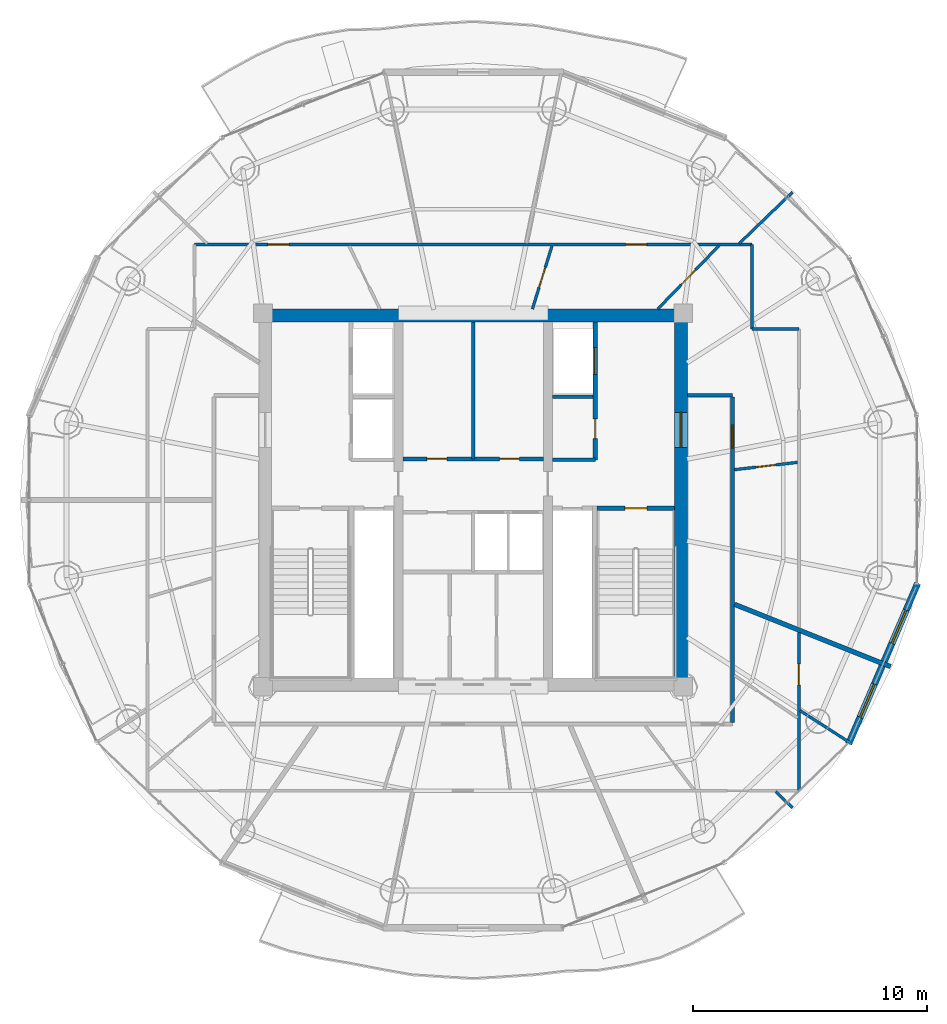
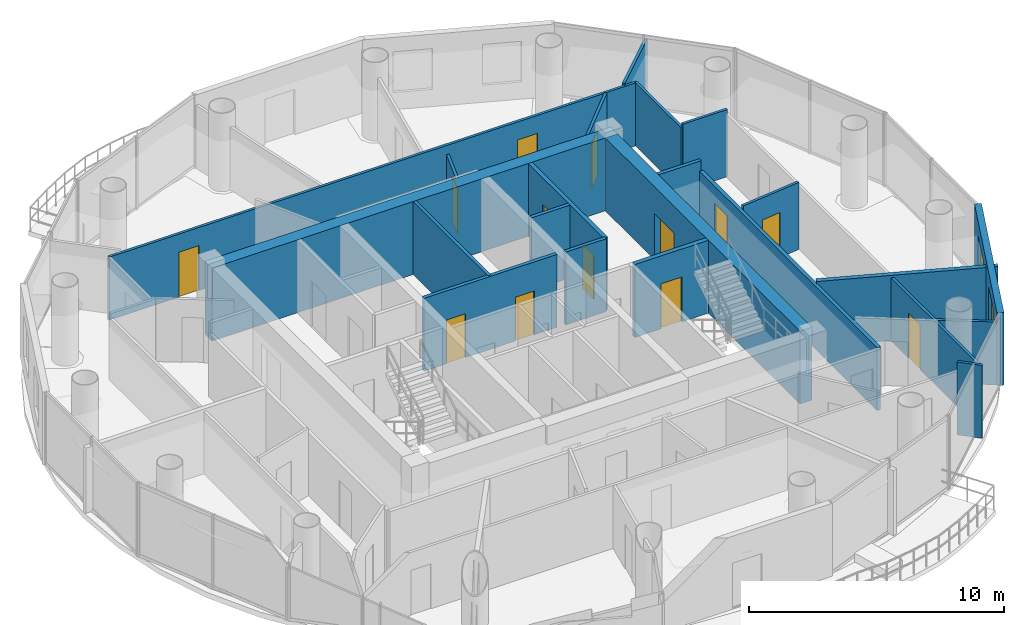
# One storey, part 20 of 24: 22 walls, 13 doors, 2 windows, 15 openings.
"""IFC4 building model written with IfcOpenShell, lengths in metres."""

from ifc_helpers import new_model, si_unit, direction, frame, frame_2d, origin, place, context, subcontext, project, spatial, rectangle, extrude, source, transform, mapped, material, layer, layer_set, type_object, element, fill, save


model = new_model("IFC4")

# Units and contexts
model_context = context("Model", 3, precision=1e-05, world=origin(), true_north=direction((-0.2419218956, 0.970295726276)))
body_context = subcontext(model_context, "Body", "Model", "MODEL_VIEW")
ifc_project = project(units=[si_unit("LENGTHUNIT", "METRE"), si_unit("AREAUNIT", "SQUARE_METRE"), si_unit("VOLUMEUNIT", "CUBIC_METRE"), si_unit("PLANEANGLEUNIT", "RADIAN"), si_unit("MASSUNIT", "GRAM", prefix="KILO")], contexts=[model_context])

# Site, building, storey
site_placement = place(None, origin())
site = spatial("IfcSite", under=ifc_project, at=site_placement, CompositionType="ELEMENT")
building_placement = place(site_placement, origin())
building = spatial("IfcBuilding", under=site, at=building_placement, Name="Cobrevalo Terracotta Tower", CompositionType="ELEMENT")
storey_placement = place(building_placement, frame((0.0, 0.0, 274.449951171875)))
storey = spatial("IfcBuildingStorey", under=building, at=storey_placement, Name="L72", CompositionType="ELEMENT", Elevation=274.449951171875)

# Wall
ifc_material_1 = material(Name="Concrete C50", Category="concrete")
ifc_layer_1 = layer(ifc_material_1, 0.550048828125)
ifc_layer_set_1 = layer_set([ifc_layer_1], Name="Concrete C50")
wall_type_1 = type_object("IfcWallType", Name="Core shear wall 550 mm Concrete C50", PredefinedType="SHEAR", material=ifc_layer_set_1)
wall_1_placement = place(storey_placement, frame((28.824951171875, 34.699951171875, 0.0), z_axis=(0.0, 0.0, 1.0), x_axis=(1.0, 0.0, 0.0)))
element("IfcWall", 1, at=wall_1_placement, inside=storey, type_object=wall_type_1, Name="L72 north core shear wall", PredefinedType="SHEAR", context=body_context, shape_type="SweptSolid", body=[
    extrude(rectangle(XDim=18.35009765625, YDim=0.550048828125, at=frame_2d((9.175048828125, 0.0))), origin(), (0.0, 0.0, 1.0), 3.489990234375),
])

# Wall, opening, door
wall_2_placement = place(storey_placement, frame((46.89990234375, 19.175048828125, 0.0), z_axis=(0.0, 0.0, 1.0), x_axis=(0.0, 1.0, 0.0)))
wall_2 = element("IfcWall", 2, at=wall_2_placement, inside=storey, type_object=wall_type_1, Name="L72 east core shear wall", PredefinedType="SHEAR", context=body_context, shape_type="SweptSolid", body=[
    extrude(rectangle(XDim=15.25, YDim=0.550048828125, at=frame_2d((7.625, 0.0))), origin(), (0.0, 0.0, 1.0), 3.489990234375),
])
opening_1_placement = place(wall_2_placement, frame((9.875, 0.0, 0.0)))
opening_1 = element("IfcOpeningElement", 3, at=opening_1_placement, cuts=wall_2, Name="Opening ID-14", PredefinedType="OPENING", context=body_context, shape_type="SweptSolid", body=[
    extrude(rectangle(XDim=1.5, YDim=2.199951171875, at=frame_2d((0.75, 1.10009765625))), frame((0.0, 0.28515625, 0.0), z_axis=(0.0, -1.0, 0.0), x_axis=(1.0, 0.0, 0.0)), (0.0, 0.0, 1.0), 0.570068359375),
])
ifc_material_2 = material(Name="Galvanized fire-rated steel", Category="steel")
door_type_1 = type_object("IfcDoorType", Name="Core cross-lobby double fire door 1500x2200 EI 90", OperationType="NOTDEFINED", PredefinedType="DOOR", material=ifc_material_2)
shared_shape_1 = source(origin(), body_context, "Body", "SweptSolid", [
    extrude(rectangle(XDim=1.5, YDim=2.199951171875, at=frame_2d((0.75, 1.10009765625))), frame((0.0, 0.02490234375, 0.0), z_axis=(0.0, -1.0, 0.0), x_axis=(1.0, 0.0, 0.0)), (0.0, 0.0, 1.0), 0.050048828125),
])
door_1_placement = place(opening_1_placement, frame((1.5, 0.0, 0.0), z_axis=(0.0, 0.0, 1.0), x_axis=(-1.0, 0.0, 0.0)))
door_1 = element("IfcDoor", 4, at=door_1_placement, inside=storey, type_object=door_type_1, Name="L72 east firefighting lobby entrance door", OperationType="DOUBLE_DOOR_SINGLE_SWING", OverallHeight=2.199951171875, OverallWidth=1.5, PredefinedType="DOOR", context=body_context, shape_type="MappedRepresentation", body=[
    mapped(shared_shape_1, transform((0.0, 0.0, 0.0), scale=1.0)),
])
fill(opening_1, door_1)

# Walls
ifc_material_3 = material(Name="Gypsum board on steel stud", Category="steel")
ifc_layer_2 = layer(ifc_material_3, 0.159912109375)
ifc_layer_set_2 = layer_set([ifc_layer_2], Name="Gypsum board on steel stud")
wall_type_2 = type_object("IfcWallType", Name="Fire-rated corridor acoustic partition wall 160 mm", PredefinedType="PARTITIONING", material=ifc_layer_set_2)
wall_3_placement = place(storey_placement, frame((41.389892578125, 31.219970703125, 0.0), z_axis=(0.0, 0.0, 1.0), x_axis=(1.0, 0.0, 0.0)))
element("IfcWall", 5, at=wall_3_placement, inside=storey, type_object=wall_type_2, Name="L72 interior partition IW-L72-FF2-M", PredefinedType="PARTITIONING", context=body_context, shape_type="SweptSolid", body=[
    extrude(rectangle(XDim=1.75, YDim=0.159912109375, at=frame_2d((0.875, 0.0))), origin(), (0.0, 0.0, 1.0), 3.489990234375),
])
wall_4_placement = place(storey_placement, frame((41.389892578125, 28.52001953125, 0.0), z_axis=(0.0, 0.0, 1.0), x_axis=(1.0, 0.0, 0.0)))
element("IfcWall", 6, at=wall_4_placement, inside=storey, type_object=wall_type_2, Name="L72 interior partition IW-L72-FF2-S", PredefinedType="PARTITIONING", context=body_context, shape_type="SweptSolid", body=[
    extrude(rectangle(XDim=1.840087890625, YDim=0.159912109375, at=frame_2d((0.919921875, 0.0))), origin(), (0.0, 0.0, 1.0), 3.489990234375),
])

# Wall, openings, doors
wall_5_placement = place(storey_placement, frame((34.989990234375, 28.56005859375, 0.0), z_axis=(0.0, 0.0, 1.0), x_axis=(1.0, 0.0, 0.0)))
wall_5 = element("IfcWall", 7, at=wall_5_placement, inside=storey, type_object=wall_type_2, Name="L72 interior partition IW-L72-LB-S", PredefinedType="PARTITIONING", context=body_context, shape_type="SweptSolid", body=[
    extrude(rectangle(XDim=6.02001953125, YDim=0.159912109375, at=frame_2d((3.010009765625, 0.0))), origin(), (0.0, 0.0, 1.0), 3.489990234375),
])
opening_2_placement = place(wall_5_placement, frame((1.02490234375, 0.0, 0.0)))
opening_2 = element("IfcOpeningElement", 8, at=opening_2_placement, cuts=wall_5, Name="Opening ID-07", PredefinedType="OPENING", context=body_context, shape_type="SweptSolid", body=[
    extrude(rectangle(XDim=0.860107421875, YDim=2.10009765625, at=frame_2d((0.43017578125, 1.050048828125))), frame((0.0, 0.08984375, 0.0), z_axis=(0.0, -1.0, 0.0), x_axis=(1.0, 0.0, 0.0)), (0.0, 0.0, 1.0), 0.179931640625),
])
opening_3_placement = place(wall_5_placement, frame((4.139892578125, 0.0, 0.0)))
opening_3 = element("IfcOpeningElement", 9, at=opening_3_placement, cuts=wall_5, Name="Opening ID-22", PredefinedType="OPENING", context=body_context, shape_type="SweptSolid", body=[
    extrude(rectangle(XDim=0.85009765625, YDim=2.10009765625, at=frame_2d((0.425048828125, 1.050048828125))), frame((0.0, 0.08984375, 0.0), z_axis=(0.0, -1.0, 0.0), x_axis=(1.0, 0.0, 0.0)), (0.0, 0.0, 1.0), 0.179931640625),
])
ifc_material_4 = material(Name="Powder-coated steel", Category="steel")
door_type_2 = type_object("IfcDoorType", Name="Riser shaft & meter closet fire access door 850x2100 EI 60", OperationType="NOTDEFINED", PredefinedType="DOOR", material=ifc_material_4)
shared_shape_2 = source(origin(), body_context, "Body", "SweptSolid", [
    extrude(rectangle(XDim=0.85009765625, YDim=2.10009765625, at=frame_2d((0.425048828125, 1.050048828125))), frame((0.0, 0.02490234375, 0.0), z_axis=(0.0, -1.0, 0.0), x_axis=(1.0, 0.0, 0.0)), (0.0, 0.0, 1.0), 0.050048828125),
])
door_2_placement = place(opening_3_placement, origin())
door_2 = element("IfcDoor", 10, at=door_2_placement, inside=storey, type_object=door_type_2, Name="L72 core service door Floor Telecom and Metering Plant", OperationType="SINGLE_SWING_RIGHT", OverallHeight=2.10009765625, OverallWidth=0.85009765625, PredefinedType="DOOR", context=body_context, shape_type="MappedRepresentation", body=[
    mapped(shared_shape_2, transform((0.0, 0.0, 0.0), scale=1.0)),
])
fill(opening_3, door_2)
ifc_material_5 = material(Name="Fire-rated moisture-sealed timber", Category="wood")
door_type_3 = type_object("IfcDoorType", Name="Core & podium fire-rated accessible WC door 860x2100 EI 60", OperationType="NOTDEFINED", PredefinedType="DOOR", material=ifc_material_5)
shared_shape_3 = source(origin(), body_context, "Body", "SweptSolid", [
    extrude(rectangle(XDim=0.860107421875, YDim=2.10009765625, at=frame_2d((0.43017578125, 1.050048828125))), frame((0.0, 0.02490234375, 0.0), z_axis=(0.0, -1.0, 0.0), x_axis=(1.0, 0.0, 0.0)), (0.0, 0.0, 1.0), 0.050048828125),
])
door_3_placement = place(opening_2_placement, origin())
door_3 = element("IfcDoor", 11, at=door_3_placement, inside=storey, type_object=door_type_3, Name="L72 core service door Core Accessible Toilet WC", OperationType="SINGLE_SWING_LEFT", OverallHeight=2.10009765625, OverallWidth=0.860107421875, PredefinedType="DOOR", context=body_context, shape_type="MappedRepresentation", body=[
    mapped(shared_shape_3, transform((0.0, 0.0, 0.0), scale=1.0)),
])
fill(opening_2, door_3)

# Wall, opening, door
wall_6_placement = place(storey_placement, frame((49.10498046875, 17.27490234375, 0.0), z_axis=(0.0, 0.0, 1.0), x_axis=(0.0, 1.0, 0.0)))
wall_6 = element("IfcWall", 12, at=wall_6_placement, inside=storey, type_object=wall_type_2, Name="L72 interior partition IW-L72-COR-E", PredefinedType="PARTITIONING", context=body_context, shape_type="SweptSolid", body=[
    extrude(rectangle(XDim=13.925048828125, YDim=0.159912109375, at=frame_2d((6.96240234375, 0.0))), origin(), (0.0, 0.0, 1.0), 3.01513671875),
])
opening_4_placement = place(wall_6_placement, frame((11.749755859375, 0.0, 0.0)))
opening_4 = element("IfcOpeningElement", 13, at=opening_4_placement, cuts=wall_6, Name="Opening ID-05", PredefinedType="OPENING", context=body_context, shape_type="SweptSolid", body=[
    extrude(rectangle(XDim=0.97998046875, YDim=2.199951171875, at=frame_2d((0.489990234375, 1.10009765625))), frame((0.0, 0.08984375, 0.0), z_axis=(0.0, -1.0, 0.0), x_axis=(1.0, 0.0, 0.0)), (0.0, 0.0, 1.0), 0.179931640625),
])
ifc_material_6 = material(Name="Solid hardwood timber", Category="wood")
door_type_4 = type_object("IfcDoorType", Name="Residence entrance fire-rated acoustic timber door 980x2200 EI 60", OperationType="NOTDEFINED", PredefinedType="DOOR", material=ifc_material_6)
shared_shape_4 = source(origin(), body_context, "Body", "SweptSolid", [
    extrude(rectangle(XDim=0.97998046875, YDim=2.199951171875, at=frame_2d((0.489990234375, 1.10009765625))), frame((0.0, 0.02490234375, 0.0), z_axis=(0.0, -1.0, 0.0), x_axis=(1.0, 0.0, 0.0)), (0.0, 0.0, 1.0), 0.050048828125),
])
door_4_placement = place(opening_4_placement, frame((0.97998046875, 0.0, 0.0), z_axis=(0.0, 0.0, 1.0), x_axis=(-1.0, 0.0, 0.0)))
door_4 = element("IfcDoor", 14, at=door_4_placement, inside=storey, type_object=door_type_4, Name="Flat L72A fire-rated apartment entrance door", OperationType="SINGLE_SWING_LEFT", OverallHeight=2.199951171875, OverallWidth=0.97998046875, PredefinedType="DOOR", context=body_context, shape_type="MappedRepresentation", body=[
    mapped(shared_shape_4, transform((0.0, 0.0, 0.0), scale=1.0)),
])
fill(opening_4, door_4)

# Wall
wall_7_placement = place(storey_placement, frame((47.175048828125, 31.280029296875, 0.0), z_axis=(0.0, 0.0, 1.0), x_axis=(1.0, 0.0, 0.0)))
element("IfcWall", 15, at=wall_7_placement, inside=storey, type_object=wall_type_2, Name="L72 interior partition IW-L72-COR-EN-CAP", PredefinedType="PARTITIONING", context=body_context, shape_type="SweptSolid", body=[
    extrude(rectangle(XDim=1.929931640625, YDim=0.159912109375, at=frame_2d((0.96484375, 0.0))), origin(), (0.0, 0.0, 1.0), 3.489990234375),
])

# Wall, openings, doors
ifc_layer_3 = layer(ifc_material_3, 0.179931640625)
ifc_layer_set_3 = layer_set([ifc_layer_3], Name="Gypsum board on steel stud")
wall_type_3 = type_object("IfcWallType", Name="Fire-rated shaft & lobby acoustic partition wall 180 mm", PredefinedType="PARTITIONING", material=ifc_layer_set_3)
wall_8_placement = place(storey_placement, frame((43.22998046875, 28.52001953125, 0.0), z_axis=(0.0, 0.0, 1.0), x_axis=(0.0, 1.0, 0.0)))
wall_8 = element("IfcWall", 16, at=wall_8_placement, inside=storey, type_object=wall_type_3, Name="L72 interior partition IW-L72-FF2-E", PredefinedType="PARTITIONING", context=body_context, shape_type="SweptSolid", body=[
    extrude(rectangle(XDim=5.905029296875, YDim=0.179931640625, at=frame_2d((2.95263671875, 0.0))), origin(), (0.0, 0.0, 1.0), 3.489990234375),
])
opening_5_placement = place(wall_8_placement, frame((0.905029296875, 0.0, 0.0)))
opening_5 = element("IfcOpeningElement", 17, at=opening_5_placement, cuts=wall_8, Name="Opening ID-22", PredefinedType="OPENING", context=body_context, shape_type="SweptSolid", body=[
    extrude(rectangle(XDim=0.85009765625, YDim=2.10009765625, at=frame_2d((0.425048828125, 1.050048828125))), frame((0.0, 0.10009765625, 0.0), z_axis=(0.0, -1.0, 0.0), x_axis=(1.0, 0.0, 0.0)), (0.0, 0.0, 1.0), 0.199951171875),
])
opening_6_placement = place(wall_8_placement, frame((3.655029296875, 0.0, 0.0)))
opening_6 = element("IfcOpeningElement", 18, at=opening_6_placement, cuts=wall_8, Name="Opening LD-02", PredefinedType="OPENING", context=body_context, shape_type="SweptSolid", body=[
    extrude(rectangle(XDim=1.14990234375, YDim=2.199951171875, at=frame_2d((0.574951171875, 1.10009765625))), frame((0.0, 0.10009765625, 0.0), z_axis=(0.0, -1.0, 0.0), x_axis=(1.0, 0.0, 0.0)), (0.0, 0.0, 1.0), 0.199951171875),
])
door_5_placement = place(opening_5_placement, frame((0.85009765625, 0.0, 0.0), z_axis=(0.0, 0.0, 1.0), x_axis=(-1.0, 0.0, 0.0)))
door_5 = element("IfcDoor", 19, at=door_5_placement, inside=storey, type_object=door_type_2, Name="L72 housekeeping store door", OperationType="SINGLE_SWING_RIGHT", OverallHeight=2.10009765625, OverallWidth=0.85009765625, PredefinedType="DOOR", context=body_context, shape_type="MappedRepresentation", body=[
    mapped(shared_shape_2, transform((0.0, 0.0, 0.0), scale=1.0)),
])
fill(opening_5, door_5)
ifc_material_7 = material(Name="Brushed stainless steel", Category="steel")
door_type_5 = type_object("IfcDoorType", Name="Firefighting lift landing bi-parting sliding door 1150x2200 EI 120", OperationType="DOUBLE_DOOR_SLIDING", PredefinedType="DOOR", material=ifc_material_7)
shared_shape_5 = source(origin(), body_context, "Body", "SweptSolid", [
    extrude(rectangle(XDim=1.14990234375, YDim=2.199951171875, at=frame_2d((0.574951171875, 1.10009765625))), frame((0.0, 0.02490234375, 0.0), z_axis=(0.0, -1.0, 0.0), x_axis=(1.0, 0.0, 0.0)), (0.0, 0.0, 1.0), 0.050048828125),
])
door_6_placement = place(opening_6_placement, origin())
door_6 = element("IfcDoor", 20, at=door_6_placement, inside=storey, type_object=door_type_5, Name="L72 lift landing door FF-2", OperationType="DOUBLE_DOOR_SLIDING", OverallHeight=2.199951171875, OverallWidth=1.14990234375, PredefinedType="DOOR", context=body_context, shape_type="MappedRepresentation", body=[
    mapped(shared_shape_5, transform((0.0, 0.0, 0.0), scale=1.0)),
])
fill(opening_6, door_6)

# Wall
ifc_material_8 = material(Name="Autoclaved aerated concrete block", Category="concrete")
ifc_layer_4 = layer(ifc_material_8, 0.199951171875)
ifc_layer_set_4 = layer_set([ifc_layer_4], Name="Autoclaved aerated concrete block")
wall_type_4 = type_object("IfcWallType", Name="Fire-rated stair, shaft & demising masonry wall 200 mm", PredefinedType="PARTITIONING", material=ifc_layer_set_4)
wall_9_placement = place(storey_placement, frame((49.18505859375, 22.334228515625, 0.0), z_axis=(0.0, 0.0, 1.0), x_axis=(0.928710518269, -0.370805573389, 0.0)))
element("IfcWall", 21, at=wall_9_placement, inside=storey, type_object=wall_type_4, Name="L72 interior partition IW-L72-DEM-1", PredefinedType="PARTITIONING", context=body_context, shape_type="SweptSolid", body=[
    extrude(rectangle(XDim=7.195068359375, YDim=0.199951171875, at=frame_2d((3.59765625, 0.0))), origin(), (0.0, 0.0, 1.0), 3.12109375),
])

# Wall, openings, windows
ifc_layer_5 = layer(ifc_material_8, 0.280029296875)
ifc_layer_set_5 = layer_set([ifc_layer_5], Name="Autoclaved aerated concrete block")
wall_type_5 = type_object("IfcWallType", Name="Insulated tower spandrel & pier wall 280 mm with terracotta rainscreen", PredefinedType="SOLIDWALL", material=ifc_layer_set_5)
wall_10_placement = place(storey_placement, frame((54.073974609375, 16.35400390625, 0.0), z_axis=(0.0, 0.0, 1.0), x_axis=(0.394816612978, 0.918759948037, 0.0)))
wall_10 = element("IfcWall", 22, at=wall_10_placement, inside=storey, type_object=wall_type_5, Name="L72 terracotta rainscreen pier wall S15", PredefinedType="SOLIDWALL", context=body_context, shape_type="SweptSolid", body=[
    extrude(rectangle(XDim=7.4853515625, YDim=0.280029296875, at=frame_2d((3.74267578125, 0.0))), origin(), (0.0, 0.0, 1.0), 3.489990234375),
])
opening_7_placement = place(wall_10_placement, frame((1.24609375, 0.0, 0.85009765625)))
opening_7 = element("IfcOpeningElement", 23, at=opening_7_placement, cuts=wall_10, Name="Opening WN-12", PredefinedType="OPENING", context=body_context, shape_type="SweptSolid", body=[
    extrude(rectangle(XDim=1.550048828125, YDim=1.949951171875, at=frame_2d((0.77490234375, 0.97509765625))), frame((0.0, 0.14990234375, 0.0), z_axis=(0.0, -1.0, 0.0), x_axis=(1.0, 0.0, 0.0)), (0.0, 0.0, 1.0), 0.300048828125),
])
opening_8_placement = place(wall_10_placement, frame((4.689208984375, 0.0, 0.85009765625)))
opening_8 = element("IfcOpeningElement", 24, at=opening_8_placement, cuts=wall_10, Name="Opening WN-12", PredefinedType="OPENING", context=body_context, shape_type="SweptSolid", body=[
    extrude(rectangle(XDim=1.550048828125, YDim=1.949951171875, at=frame_2d((0.77490234375, 0.97509765625))), frame((0.0, 0.14990234375, 0.0), z_axis=(0.0, -1.0, 0.0), x_axis=(1.0, 0.0, 0.0)), (0.0, 0.0, 1.0), 0.300048828125),
])
ifc_material_9 = material(Name="Solar-control low-E double glazing", Category="glass")
window_type = type_object("IfcWindowType", Name="Solar-control low-E aluminium window 1550x1950", PartitioningType="SINGLE_PANEL", PredefinedType="WINDOW", material=ifc_material_9)
shared_shape_6 = source(origin(), body_context, "Body", "SweptSolid", [
    extrude(rectangle(XDim=1.550048828125, YDim=1.949951171875, at=frame_2d((0.77490234375, 0.97509765625))), frame((0.0, 0.030029296875, 0.0), z_axis=(0.0, -1.0, 0.0), x_axis=(1.0, 0.0, 0.0)), (0.0, 0.0, 1.0), 0.06005859375),
])
window_1_placement = place(opening_7_placement, origin())
window_1 = element("IfcWindow", 25, at=window_1_placement, inside=storey, type_object=window_type, Name="L72 suite window S15A", OverallHeight=1.949951171875, OverallWidth=1.550048828125, PartitioningType="SINGLE_PANEL", PredefinedType="WINDOW", context=body_context, shape_type="MappedRepresentation", body=[
    mapped(shared_shape_6, transform((0.0, 0.0, 0.0), scale=1.0)),
])
fill(opening_7, window_1)
window_2_placement = place(opening_8_placement, origin())
window_2 = element("IfcWindow", 26, at=window_2_placement, inside=storey, type_object=window_type, Name="L72 suite window S15B", OverallHeight=1.949951171875, OverallWidth=1.550048828125, PartitioningType="SINGLE_PANEL", PredefinedType="WINDOW", context=body_context, shape_type="MappedRepresentation", body=[
    mapped(shared_shape_6, transform((0.0, 0.0, 0.0), scale=1.0)),
])
fill(opening_8, window_2)

# Wall
ifc_layer_6 = layer(ifc_material_8, 0.139892578125)
ifc_layer_set_6 = layer_set([ifc_layer_6], Name="Autoclaved aerated concrete block")
wall_type_6 = type_object("IfcWallType", Name="Moisture-resistant wet-room & core service partition 140 mm", PredefinedType="PARTITIONING", material=ifc_layer_set_6)
wall_11_placement = place(storey_placement, frame((38.0, 28.56005859375, 0.0), z_axis=(0.0, 0.0, 1.0), x_axis=(0.0, 1.0, 0.0)))
element("IfcWall", 27, at=wall_11_placement, inside=storey, type_object=wall_type_6, Name="L72 interior partition IW-L72-KVN-1", PredefinedType="PARTITIONING", context=body_context, shape_type="SweptSolid", body=[
    extrude(rectangle(XDim=5.864990234375, YDim=0.139892578125, at=frame_2d((2.9326171875, 0.0))), origin(), (0.0, 0.0, 1.0), 3.489990234375),
])

# Wall, openings, doors
ifc_layer_7 = layer(ifc_material_3, 0.1201171875)
ifc_layer_set_7 = layer_set([ifc_layer_7], Name="Gypsum board on steel stud")
wall_type_7 = type_object("IfcWallType", Name="Residential internal acoustic stud partition 120 mm", PredefinedType="PARTITIONING", material=ifc_layer_set_7)
wall_12_placement = place(storey_placement, frame((26.06494140625, 37.735107421875, 0.0), z_axis=(0.0, 0.0, 1.0), x_axis=(1.0, 0.0, 0.0)))
wall_12 = element("IfcWall", 28, at=wall_12_placement, inside=storey, type_object=wall_type_7, Name="L72 interior partition IW-L72-U1-RING3_0", PredefinedType="PARTITIONING", context=body_context, shape_type="SweptSolid", body=[
    extrude(rectangle(XDim=23.8701171875, YDim=0.1201171875, at=frame_2d((11.93505859375, 0.0))), origin(), (0.0, 0.0, 1.0), 3.01513671875),
])
opening_9_placement = place(wall_12_placement, frame((18.46044921875, 0.0, 0.0)))
opening_9 = element("IfcOpeningElement", 29, at=opening_9_placement, cuts=wall_12, Name="Opening ID-12", PredefinedType="OPENING", context=body_context, shape_type="SweptSolid", body=[
    extrude(rectangle(XDim=0.89990234375, YDim=2.14990234375, at=frame_2d((0.449951171875, 1.074951171875))), frame((0.0, 0.070068359375, 0.0), z_axis=(0.0, -1.0, 0.0), x_axis=(1.0, 0.0, 0.0)), (0.0, 0.0, 1.0), 0.14013671875),
])
opening_10_placement = place(wall_12_placement, frame((3.144287109375, 0.0, 0.0)))
opening_10 = element("IfcOpeningElement", 30, at=opening_10_placement, cuts=wall_12, Name="Opening ID-12", PredefinedType="OPENING", context=body_context, shape_type="SweptSolid", body=[
    extrude(rectangle(XDim=0.89990234375, YDim=2.14990234375, at=frame_2d((0.449951171875, 1.074951171875))), frame((0.0, 0.070068359375, 0.0), z_axis=(0.0, -1.0, 0.0), x_axis=(1.0, 0.0, 0.0)), (0.0, 0.0, 1.0), 0.14013671875),
])
ifc_material_10 = material(Name="Engineered timber", Category="wood")
door_type_6 = type_object("IfcDoorType", Name="Internal residence & suite timber door 900x2150", OperationType="NOTDEFINED", PredefinedType="DOOR", material=ifc_material_10)
shared_shape_7 = source(origin(), body_context, "Body", "SweptSolid", [
    extrude(rectangle(XDim=0.89990234375, YDim=2.14990234375, at=frame_2d((0.449951171875, 1.074951171875))), frame((0.0, 0.02490234375, 0.0), z_axis=(0.0, -1.0, 0.0), x_axis=(1.0, 0.0, 0.0)), (0.0, 0.0, 1.0), 0.050048828125),
])
door_7_placement = place(opening_9_placement, origin())
door_7 = element("IfcDoor", 31, at=door_7_placement, inside=storey, type_object=door_type_6, Name="Flat L72A Master Bedroom internal door", OperationType="SINGLE_SWING_RIGHT", OverallHeight=2.14990234375, OverallWidth=0.89990234375, PredefinedType="DOOR", context=body_context, shape_type="MappedRepresentation", body=[
    mapped(shared_shape_7, transform((0.0, 0.0, 0.0), scale=1.0)),
])
fill(opening_9, door_7)
door_8_placement = place(opening_10_placement, origin())
door_8 = element("IfcDoor", 32, at=door_8_placement, inside=storey, type_object=door_type_6, Name="Flat L72A Penthouse Family Lounge internal door", OperationType="SINGLE_SWING_RIGHT", OverallHeight=2.14990234375, OverallWidth=0.89990234375, PredefinedType="DOOR", context=body_context, shape_type="MappedRepresentation", body=[
    mapped(shared_shape_7, transform((0.0, 0.0, 0.0), scale=1.0)),
])
fill(opening_10, door_8)

# Walls
wall_13_placement = place(storey_placement, frame((49.93505859375, 37.735107421875, 0.0), z_axis=(0.0, 0.0, 1.0), x_axis=(0.0, -1.0, 0.0)))
element("IfcWall", 33, at=wall_13_placement, inside=storey, type_object=wall_type_7, Name="L72 interior partition IW-L72-U1-RING4_0", PredefinedType="PARTITIONING", context=body_context, shape_type="SweptSolid", body=[
    extrude(rectangle(XDim=3.614990234375, YDim=0.1201171875, at=frame_2d((1.8076171875, 0.0))), origin(), (0.0, 0.0, 1.0), 3.01513671875),
])
wall_14_placement = place(storey_placement, frame((49.93505859375, 34.1201171875, 0.0), z_axis=(0.0, 0.0, 1.0), x_axis=(1.0, 0.0, 0.0)))
element("IfcWall", 34, at=wall_14_placement, inside=storey, type_object=wall_type_7, Name="L72 interior partition IW-L72-U1-RING5_0", PredefinedType="PARTITIONING", context=body_context, shape_type="SweptSolid", body=[
    extrude(rectangle(XDim=2.010009765625, YDim=0.1201171875, at=frame_2d((1.0048828125, 0.0))), origin(), (0.0, 0.0, 1.0), 3.208984375),
])
wall_15_placement = place(storey_placement, frame((49.388916015625, 37.778076171875, 0.0), z_axis=(0.0, 0.0, 1.0), x_axis=(0.719985652574, 0.693988948102, 0.0)))
element("IfcWall", 35, at=wall_15_placement, inside=storey, type_object=wall_type_7, Name="L72 interior partition IW-L72-U1-ORAD1", PredefinedType="PARTITIONING", context=body_context, shape_type="SweptSolid", body=[
    extrude(rectangle(XDim=3.17431640625, YDim=0.1201171875, at=frame_2d((1.587158203125, 0.0))), origin(), (0.0, 0.0, 1.0), 3.12109375),
])

# Wall, opening, door
wall_16_placement = place(storey_placement, frame((49.18505859375, 28.09765625, 0.0), z_axis=(0.0, 0.0, 1.0), x_axis=(0.993339475655, 0.115224503057, 0.0)))
wall_16 = element("IfcWall", 36, at=wall_16_placement, inside=storey, type_object=wall_type_7, Name="L72 interior partition IW-L72-U1-IRAD1", PredefinedType="PARTITIONING", context=body_context, shape_type="SweptSolid", body=[
    extrude(rectangle(XDim=2.71630859375, YDim=0.1201171875, at=frame_2d((1.358154296875, 0.0))), origin(), (0.0, 0.0, 1.0), 3.208984375),
])
opening_11_placement = place(wall_16_placement, frame((0.92822265625, 0.0, 0.0)))
opening_11 = element("IfcOpeningElement", 37, at=opening_11_placement, cuts=wall_16, Name="Opening ID-19", PredefinedType="OPENING", context=body_context, shape_type="SweptSolid", body=[
    extrude(rectangle(XDim=0.860107421875, YDim=2.14990234375, at=frame_2d((0.43017578125, 1.074951171875))), frame((0.0, 0.070068359375, 0.0), z_axis=(0.0, -1.0, 0.0), x_axis=(1.0, 0.0, 0.0)), (0.0, 0.0, 1.0), 0.14013671875),
])
ifc_material_11 = material(Name="Moisture-sealed timber", Category="wood")
door_type_7 = type_object("IfcDoorType", Name="Suite bathroom internal timber door 860x2150", OperationType="NOTDEFINED", PredefinedType="DOOR", material=ifc_material_11)
shared_shape_8 = source(origin(), body_context, "Body", "SweptSolid", [
    extrude(rectangle(XDim=0.860107421875, YDim=2.14990234375, at=frame_2d((0.43017578125, 1.074951171875))), frame((0.0, 0.02490234375, 0.0), z_axis=(0.0, -1.0, 0.0), x_axis=(1.0, 0.0, 0.0)), (0.0, 0.0, 1.0), 0.050048828125),
])
door_9_placement = place(opening_11_placement, frame((0.860107421875, 0.0, 0.0), z_axis=(0.0, 0.0, 1.0), x_axis=(-1.0, 0.0, 0.0)))
door_9 = element("IfcDoor", 38, at=door_9_placement, inside=storey, type_object=door_type_7, Name="Flat L72A Primary Bathroom internal door", OperationType="SINGLE_SWING_RIGHT", OverallHeight=2.14990234375, OverallWidth=0.860107421875, PredefinedType="DOOR", context=body_context, shape_type="MappedRepresentation", body=[
    mapped(shared_shape_8, transform((0.0, 0.0, 0.0), scale=1.0)),
])
fill(opening_11, door_9)

wall_17_placement = place(storey_placement, frame((45.903076171875, 34.976318359375, 0.0), z_axis=(0.0, 0.0, 1.0), x_axis=(0.69497417129, 0.719034700999, 0.0)))
wall_17 = element("IfcWall", 39, at=wall_17_placement, inside=storey, type_object=wall_type_7, Name="L72 interior partition IW-L72-U1-IRAD2", PredefinedType="PARTITIONING", context=body_context, shape_type="SweptSolid", body=[
    extrude(rectangle(XDim=3.774658203125, YDim=0.1201171875, at=frame_2d((1.88720703125, 0.0))), origin(), (0.0, 0.0, 1.0), 3.01513671875),
])
opening_12_placement = place(wall_17_placement, frame((1.437255859375, 0.0, 0.0)))
opening_12 = element("IfcOpeningElement", 40, at=opening_12_placement, cuts=wall_17, Name="Opening ID-12", PredefinedType="OPENING", context=body_context, shape_type="SweptSolid", body=[
    extrude(rectangle(XDim=0.89990234375, YDim=2.14990234375, at=frame_2d((0.449951171875, 1.074951171875))), frame((0.0, 0.070068359375, 0.0), z_axis=(0.0, -1.0, 0.0), x_axis=(1.0, 0.0, 0.0)), (0.0, 0.0, 1.0), 0.14013671875),
])
door_10_placement = place(opening_12_placement, origin())
door_10 = element("IfcDoor", 41, at=door_10_placement, inside=storey, type_object=door_type_6, Name="Flat L72A Kitchen internal door", OperationType="SINGLE_SWING_RIGHT", OverallHeight=2.14990234375, OverallWidth=0.89990234375, PredefinedType="DOOR", context=body_context, shape_type="MappedRepresentation", body=[
    mapped(shared_shape_7, transform((0.0, 0.0, 0.0), scale=1.0)),
])
fill(opening_12, door_10)

wall_18_placement = place(storey_placement, frame((40.536865234375, 34.976806640625, 0.0), z_axis=(0.0, 0.0, 1.0), x_axis=(0.29633127961, 0.95508521752, 0.0)))
wall_18 = element("IfcWall", 42, at=wall_18_placement, inside=storey, type_object=wall_type_7, Name="L72 interior partition IW-L72-U1-IRAD3", PredefinedType="PARTITIONING", context=body_context, shape_type="SweptSolid", body=[
    extrude(rectangle(XDim=2.825927734375, YDim=0.1201171875, at=frame_2d((1.4130859375, 0.0))), origin(), (0.0, 0.0, 1.0), 2.574951171875),
])
opening_13_placement = place(wall_18_placement, frame((0.962890625, 0.0, 0.0)))
opening_13 = element("IfcOpeningElement", 43, at=opening_13_placement, cuts=wall_18, Name="Opening ID-12", PredefinedType="OPENING", context=body_context, shape_type="SweptSolid", body=[
    extrude(rectangle(XDim=0.89990234375, YDim=2.14990234375, at=frame_2d((0.449951171875, 1.074951171875))), frame((0.0, 0.070068359375, 0.0), z_axis=(0.0, -1.0, 0.0), x_axis=(1.0, 0.0, 0.0)), (0.0, 0.0, 1.0), 0.14013671875),
])
door_11_placement = place(opening_13_placement, origin())
door_11 = element("IfcDoor", 44, at=door_11_placement, inside=storey, type_object=door_type_6, Name="Flat L72A Private Library Meeting Room internal door", OperationType="SINGLE_SWING_LEFT", OverallHeight=2.14990234375, OverallWidth=0.89990234375, PredefinedType="DOOR", context=body_context, shape_type="MappedRepresentation", body=[
    mapped(shared_shape_7, transform((0.0, 0.0, 0.0), scale=1.0)),
])
fill(opening_13, door_11)

wall_19_placement = place(storey_placement, frame((51.945068359375, 21.130126953125, 0.0), z_axis=(0.0, 0.0, 1.0), x_axis=(0.0, -1.0, 0.0)))
wall_19 = element("IfcWall", 45, at=wall_19_placement, inside=storey, type_object=wall_type_7, Name="L72 interior partition IW-L72-U4-RING0_0", PredefinedType="PARTITIONING", context=body_context, shape_type="SweptSolid", body=[
    extrude(rectangle(XDim=6.775146484375, YDim=0.1201171875, at=frame_2d((3.3876953125, 0.0))), origin(), (0.0, 0.0, 1.0), 3.01513671875),
])
opening_14_placement = place(wall_19_placement, frame((1.3486328125, 0.0, 0.0)))
opening_14 = element("IfcOpeningElement", 46, at=opening_14_placement, cuts=wall_19, Name="Opening ID-12", PredefinedType="OPENING", context=body_context, shape_type="SweptSolid", body=[
    extrude(rectangle(XDim=0.89990234375, YDim=2.14990234375, at=frame_2d((0.449951171875, 1.074951171875))), frame((0.0, 0.070068359375, 0.0), z_axis=(0.0, -1.0, 0.0), x_axis=(1.0, 0.0, 0.0)), (0.0, 0.0, 1.0), 0.14013671875),
])
door_12_placement = place(opening_14_placement, origin())
door_12 = element("IfcDoor", 47, at=door_12_placement, inside=storey, type_object=door_type_6, Name="Flat L72D Master Bedroom internal door", OperationType="SINGLE_SWING_RIGHT", OverallHeight=2.14990234375, OverallWidth=0.89990234375, PredefinedType="DOOR", context=body_context, shape_type="MappedRepresentation", body=[
    mapped(shared_shape_7, transform((0.0, 0.0, 0.0), scale=1.0)),
])
fill(opening_14, door_12)

# Walls
wall_20_placement = place(storey_placement, frame((50.95556640625, 14.31201171875, 0.0), z_axis=(0.0, 0.0, 1.0), x_axis=(0.7199490242, -0.694026946562, 0.0)))
element("IfcWall", 48, at=wall_20_placement, inside=storey, type_object=wall_type_7, Name="L72 interior partition IW-L72-U4-ORAD1", PredefinedType="PARTITIONING", context=body_context, shape_type="SweptSolid", body=[
    extrude(rectangle(XDim=0.998291015625, YDim=0.1201171875, at=frame_2d((0.4990234375, 0.0))), origin(), (0.0, 0.0, 1.0), 3.489990234375),
])
wall_21_placement = place(storey_placement, frame((51.9970703125, 17.784912109375, 0.0), z_axis=(0.0, 0.0, 1.0), x_axis=(0.840715962824, -0.541476379774, 0.0)))
element("IfcWall", 49, at=wall_21_placement, inside=storey, type_object=wall_type_7, Name="L72 interior partition IW-L72-U4-ORAD2", PredefinedType="PARTITIONING", context=body_context, shape_type="SweptSolid", body=[
    extrude(rectangle(XDim=2.43701171875, YDim=0.1201171875, at=frame_2d((1.218505859375, 0.0))), origin(), (0.0, 0.0, 1.0), 3.01513671875),
])

# Wall, opening, door
ifc_layer_8 = layer(ifc_material_1, 0.199951171875)
ifc_layer_set_8 = layer_set([ifc_layer_8], Name="Concrete C50")
wall_type_8 = type_object("IfcWallType", Name="Structural core & podium stair-shaft RC wall 200 mm Concrete C50", PredefinedType="SOLIDWALL", material=ifc_layer_set_8)
wall_22_placement = place(storey_placement, frame((43.304931640625, 26.449951171875, 0.0), z_axis=(0.0, 0.0, 1.0), x_axis=(1.0, 0.0, 0.0)))
wall_22 = element("IfcWall", 50, at=wall_22_placement, inside=storey, type_object=wall_type_8, Name="L72 ST-2 north structural shaft wall", PredefinedType="SOLIDWALL", context=body_context, shape_type="SweptSolid", body=[
    extrude(rectangle(XDim=3.320068359375, YDim=0.199951171875, at=frame_2d((1.66015625, 0.0))), origin(), (0.0, 0.0, 1.0), 3.489990234375),
])
opening_15_placement = place(wall_22_placement, frame((1.18505859375, 0.0, 0.0)))
opening_15 = element("IfcOpeningElement", 51, at=opening_15_placement, cuts=wall_22, Name="Opening ID-04", PredefinedType="OPENING", context=body_context, shape_type="SweptSolid", body=[
    extrude(rectangle(XDim=0.949951171875, YDim=2.14990234375, at=frame_2d((0.47509765625, 1.074951171875))), frame((0.0, 0.10986328125, 0.0), z_axis=(0.0, -1.0, 0.0), x_axis=(1.0, 0.0, 0.0)), (0.0, 0.0, 1.0), 0.219970703125),
])
door_type_8 = type_object("IfcDoorType", Name="Stair & firefighting lobby fire door 950x2150 EI 90", OperationType="NOTDEFINED", PredefinedType="DOOR", material=ifc_material_2)
shared_shape_9 = source(origin(), body_context, "Body", "SweptSolid", [
    extrude(rectangle(XDim=0.949951171875, YDim=2.14990234375, at=frame_2d((0.47509765625, 1.074951171875))), frame((0.0, 0.02490234375, 0.0), z_axis=(0.0, -1.0, 0.0), x_axis=(1.0, 0.0, 0.0)), (0.0, 0.0, 1.0), 0.050048828125),
])
door_13_placement = place(opening_15_placement, frame((0.949951171875, 0.0, 0.0), z_axis=(0.0, 0.0, 1.0), x_axis=(-1.0, 0.0, 0.0)))
door_13 = element("IfcDoor", 52, at=door_13_placement, inside=storey, type_object=door_type_8, Name="L72 protected stair ST2 fire door", OperationType="SINGLE_SWING_RIGHT", OverallHeight=2.14990234375, OverallWidth=0.949951171875, PredefinedType="DOOR", context=body_context, shape_type="MappedRepresentation", body=[
    mapped(shared_shape_9, transform((0.0, 0.0, 0.0), scale=1.0)),
])
fill(opening_15, door_13)

save(model, "model.ifc")
